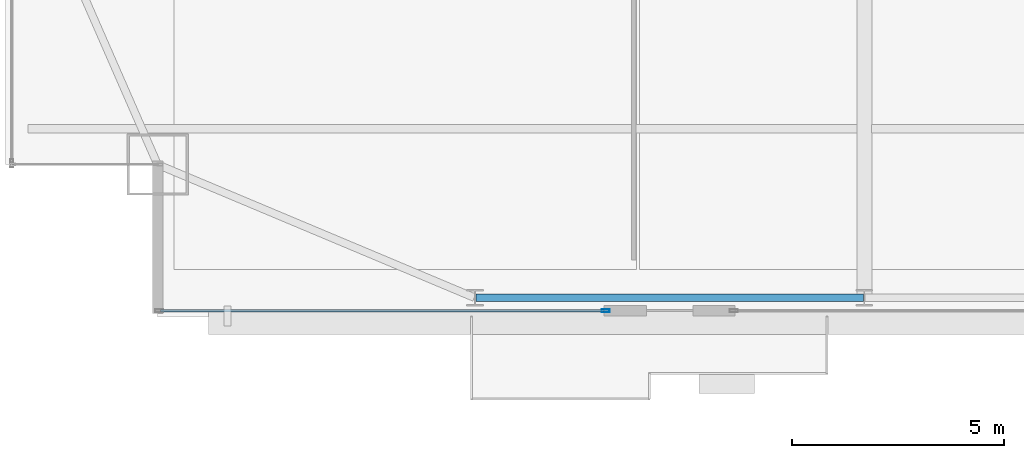
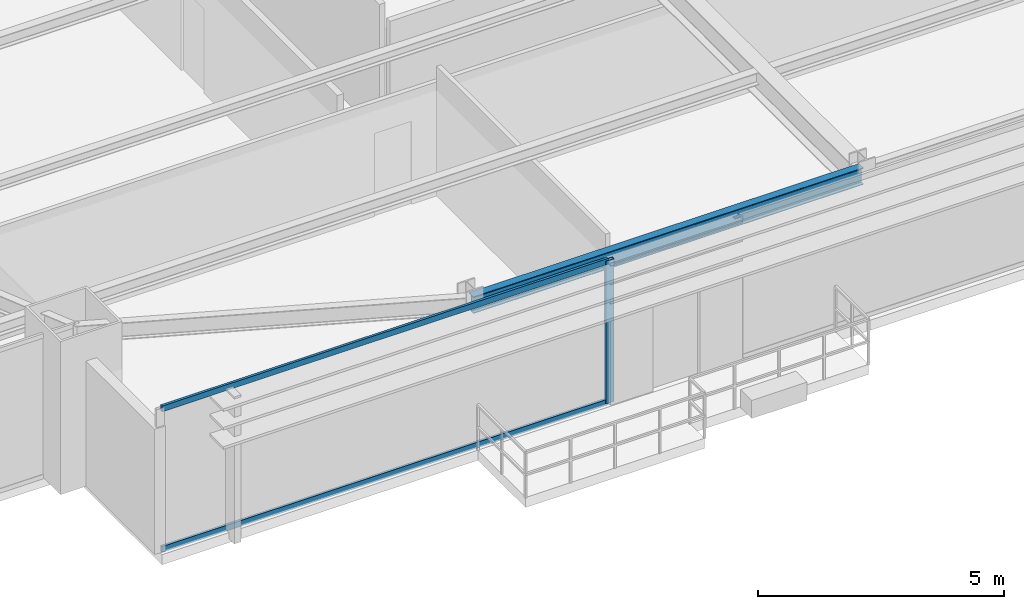
# One storey, part 4 of 34: 3 members, 1 beam, 1 element without a shape of its own.
"""IFC4 building model written with IfcOpenShell, lengths in metres."""

from ifc_helpers import new_model, si_unit, direction, frame, origin, origin_2d, place, context, subcontext, project, spatial, hollow_rectangle, i_section, extrude, source, transform, mapped, material, layer, layer_set, material_profile, profile_set, type_object, type_shapes, element, aggregate, save


model = new_model("IFC4")

# Units and contexts
model_context = context("Model", 3, precision=1e-05, world=origin(), true_north=direction((0.0, 1.0)))
body_context = subcontext(model_context, "Body", "Model", "MODEL_VIEW")
ifc_project = project(units=[si_unit("LENGTHUNIT", "METRE"), si_unit("AREAUNIT", "SQUARE_METRE"), si_unit("VOLUMEUNIT", "CUBIC_METRE"), si_unit("PLANEANGLEUNIT", "RADIAN"), si_unit("MASSUNIT", "GRAM", prefix="KILO")], contexts=[model_context])

# Site, building, storey
site_placement = place(None, origin())
site = spatial("IfcSite", under=ifc_project, at=site_placement, CompositionType="ELEMENT")
building_placement = place(site_placement, origin())
building = spatial("IfcBuilding", under=site, at=building_placement, Name="Varnel Quay Broadcast Tower", CompositionType="ELEMENT")
storey_placement = place(building_placement, frame((0.0, 0.0, 110.60009765625)))
storey = spatial("IfcBuildingStorey", under=building, at=storey_placement, Name="L26", CompositionType="ELEMENT", Elevation=110.60009765625)

# Beam
ifc_material_1 = material(Name="Structural Steel CSA G40.21 350W", Category="steel")
ifc_material_profile_1 = material_profile(ifc_material_1, i_section(OverallWidth=0.180908203125, OverallDepth=0.4169921875, WebThickness=0.010986328125, FlangeThickness=0.018310546875, FilletRadius=0.011962890625, at=origin_2d()), Name="W410X85")
ifc_profile_set_1 = profile_set([ifc_material_profile_1], Name="Structural Steel CSA G40.21 350W")
beam_type = type_object("IfcBeamType", Name="Beam_W410X85", PredefinedType="SPANDREL", material=ifc_profile_set_1)
shared_shape_1 = source(origin(), body_context, "Body", "SweptSolid", [
    extrude(i_section(OverallWidth=0.180908203125, OverallDepth=0.4169921875, WebThickness=0.010986328125, FlangeThickness=0.018310546875, FilletRadius=0.011962890625, at=origin_2d()), origin(), (0.0, 0.0, 1.0), 9.159912109375),
])
type_shapes(beam_type, [shared_shape_1])
beam_placement = place(storey_placement, frame((15.6201171875, 4.64990234375, 3.34130859375), z_axis=(1.0, 0.0, 0.0), x_axis=(0.0, 1.0, 0.0)))
element("IfcBeam", 1, at=beam_placement, inside=storey, type_object=beam_type, Name="L26 South Spandrel TC-S1-TC-S2", PredefinedType="SPANDREL", context=body_context, shape_type="MappedRepresentation", body=[
    mapped(shared_shape_1, transform((0.0, 0.0, 0.0), x_axis=(1.0, 0.0, 0.0), y_axis=(0.0, 1.0, 0.0), z_axis=(0.0, 0.0, 1.0), scale=1.0)),
])

# Curtain wall, members
ifc_material_2 = material(Name="Anodised Bronze Aluminium 6063-T6", Category="aluminium")
ifc_layer = layer(ifc_material_2, 0.18994140625, Name="Anodised Bronze Aluminium 6063-T6")
ifc_layer_set = layer_set([ifc_layer], Name="Anodised Bronze Aluminium 6063-T6")
curtain_wall_type = type_object("IfcCurtainWallType", Name="CW_LowerTower", PredefinedType="NOTDEFINED", material=ifc_layer_set)
curtain_wall_placement = place(storey_placement, origin())
curtain_wall = element("IfcCurtainWall", 2, at=curtain_wall_placement, inside=storey, type_object=curtain_wall_type, Name="L26 South Unitised Curtain Wall 1", PredefinedType="NOTDEFINED")
ifc_material_profile_2 = material_profile(ifc_material_2, hollow_rectangle(XDim=0.06005859375, YDim=0.14501953125, WallThickness=0.00341796875, at=origin_2d()), Name="ALU60X145X3.5")
ifc_profile_set_2 = profile_set([ifc_material_profile_2], Name="Anodised Bronze Aluminium 6063-T6")
member_type_1 = type_object("IfcMemberType", Name="Tran_CWS-02", PredefinedType="USERDEFINED", material=ifc_profile_set_2)
shared_shape_2 = source(origin(), body_context, "Body", "SweptSolid", [
    extrude(hollow_rectangle(XDim=0.06005859375, YDim=0.14501953125, WallThickness=0.00341796875, at=origin_2d()), origin(), (0.0, 0.0, 1.0), 10.47998046875),
])
type_shapes(member_type_1, [shared_shape_2])
member_1_placement = place(storey_placement, frame((8.169921875, 4.35009765625, 0.02978515625), z_axis=(1.0, 0.0, 0.0), x_axis=(0.0, 1.0, 0.0)))
member_1 = element("IfcMember", 3, at=member_1_placement, type_object=member_type_1, Name="CWS-02 transom 1.1", ObjectType="TRANSOM", PredefinedType="USERDEFINED", context=body_context, shape_type="MappedRepresentation", body=[
    mapped(shared_shape_2, transform((0.0, 0.0, 0.0), x_axis=(1.0, 0.0, 0.0), y_axis=(0.0, 1.0, 0.0), z_axis=(0.0, 0.0, 1.0), scale=1.0)),
])
member_2_placement = place(storey_placement, frame((8.169921875, 4.35009765625, 3.52001953125), z_axis=(1.0, 0.0, 0.0), x_axis=(0.0, 1.0, 0.0)))
member_2 = element("IfcMember", 4, at=member_2_placement, type_object=member_type_1, Name="CWS-02 transom 1.2", ObjectType="TRANSOM", PredefinedType="USERDEFINED", context=body_context, shape_type="MappedRepresentation", body=[
    mapped(shared_shape_2, transform((0.0, 0.0, 0.0), x_axis=(1.0, 0.0, 0.0), y_axis=(0.0, 1.0, 0.0), z_axis=(0.0, 0.0, 1.0), scale=1.0)),
])
ifc_material_profile_3 = material_profile(ifc_material_2, hollow_rectangle(XDim=0.070068359375, YDim=0.18994140625, WallThickness=0.00390625, at=origin_2d()), Name="ALU70X190X4")
ifc_profile_set_3 = profile_set([ifc_material_profile_3], Name="Anodised Bronze Aluminium 6063-T6")
member_type_2 = type_object("IfcMemberType", Name="Mull_CWS-02", PredefinedType="MULLION", material=ifc_profile_set_3)
shared_shape_3 = source(origin(), body_context, "Body", "SweptSolid", [
    extrude(hollow_rectangle(XDim=0.070068359375, YDim=0.18994140625, WallThickness=0.00390625, at=origin_2d()), origin(), (0.0, 0.0, 1.0), 3.5498046875),
])
type_shapes(member_type_2, [shared_shape_3])
member_3_placement = place(storey_placement, frame((18.68505859375, 4.35009765625, 0.0), z_axis=(0.0, 0.0, 1.0), x_axis=(0.0, 1.0, 0.0)))
member_3 = element("IfcMember", 5, at=member_3_placement, type_object=member_type_2, Name="CWS-02 mullion 2", PredefinedType="MULLION", context=body_context, shape_type="MappedRepresentation", body=[
    mapped(shared_shape_3, transform((0.0, 0.0, 0.0), x_axis=(1.0, 0.0, 0.0), y_axis=(0.0, 1.0, 0.0), z_axis=(0.0, 0.0, 1.0), scale=1.0)),
])
aggregate(curtain_wall, [member_3, member_1, member_2])

save(model, "model.ifc")
